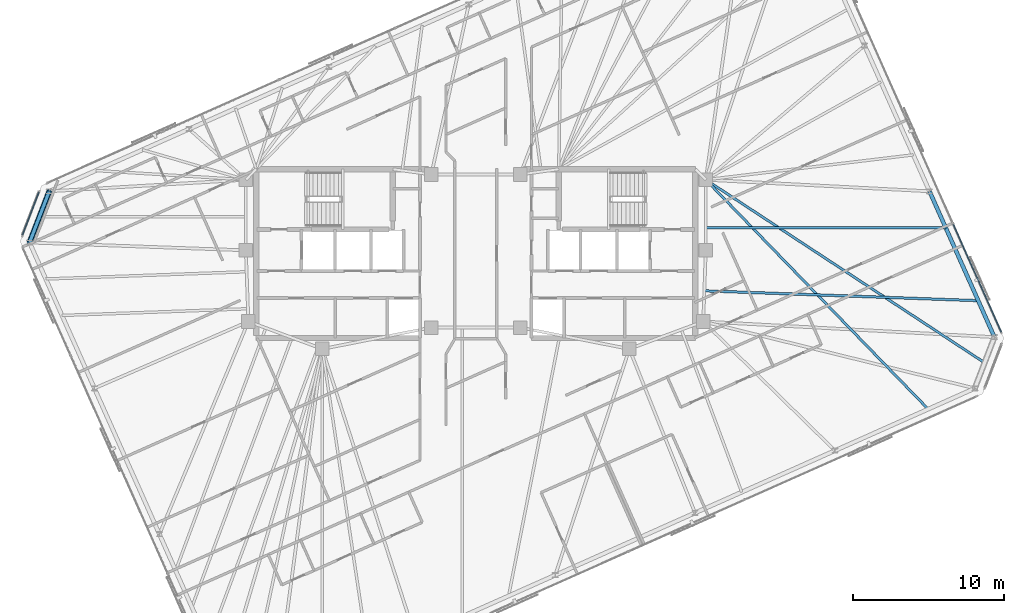
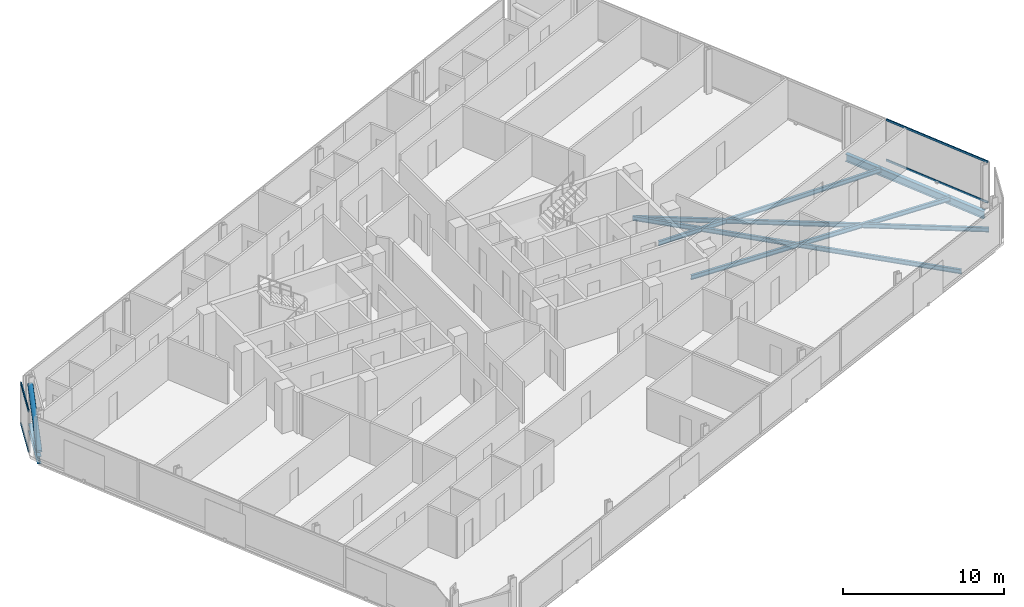
# One storey, part 8 of 19: 6 beams, 5 members, 2 elements without a shape of their own.
"""IFC4 building model written with IfcOpenShell, lengths in metres."""

from ifc_helpers import new_model, si_unit, direction, frame, origin, origin_2d, place, context, subcontext, project, spatial, rectangle, hollow_circle, i_section, extrude, material, material_profile, profile_set, type_object, element, aggregate, save


model = new_model("IFC4")

# Units and contexts
model_context = context("Model", 3, precision=1e-05, world=origin(), true_north=direction((0.0, 1.0)))
body_context = subcontext(model_context, "Body", "Model", "MODEL_VIEW")
ifc_project = project(units=[si_unit("LENGTHUNIT", "METRE"), si_unit("AREAUNIT", "SQUARE_METRE"), si_unit("VOLUMEUNIT", "CUBIC_METRE"), si_unit("PLANEANGLEUNIT", "RADIAN"), si_unit("MASSUNIT", "GRAM", prefix="KILO")], contexts=[model_context])

# Site, building, storey
site_placement = place(None, origin())
site = spatial("IfcSite", under=ifc_project, at=site_placement, CompositionType="ELEMENT")
building_placement = place(site_placement, origin())
building = spatial("IfcBuilding", under=site, at=building_placement, Name="Menara Jurai Vektor", CompositionType="ELEMENT")
storey_placement = place(building_placement, frame((0.0, 0.0, 291.949951171875)))
storey = spatial("IfcBuildingStorey", under=building, at=storey_placement, Name="L78", CompositionType="ELEMENT", Elevation=291.949951171875)

# Curtain wall, members
ifc_material_1 = material(Name="Anodised Pale Aluminium & Low-E Double Glazing", Category="aluminium")
curtain_wall_type = type_object("IfcCurtainWallType", Name="CW-BLK5", PredefinedType="NOTDEFINED", material=ifc_material_1)
curtain_wall_1_placement = place(storey_placement, origin())
curtain_wall_1 = element("IfcCurtainWall", 1, at=curtain_wall_1_placement, inside=storey, type_object=curtain_wall_type, Name="Unitised Curtain Wall L78 F03", PredefinedType="NOTDEFINED")
ifc_material_2 = material(Name="Anodised Pale Aluminium Transom", Category="aluminium")
ifc_material_profile_1 = material_profile(ifc_material_2, rectangle(XDim=0.074951171875, YDim=0.155029296875, at=origin_2d()), Name="ALU TRN 75x155")
ifc_profile_set_1 = profile_set([ifc_material_profile_1], Name="Anodised Pale Aluminium Transom")
member_type_1 = type_object("IfcMemberType", Name="CW-BLK5-TRN", PredefinedType="USERDEFINED", material=ifc_profile_set_1)
member_1_placement = place(storey_placement, frame((34.840087890625, -5.19189453125, 0.03759765625), z_axis=(-0.406739711224, 0.913544091609, 0.0), x_axis=(-0.913544091609, -0.406739711224, 0.0)))
member_1 = element("IfcMember", 2, at=member_1_placement, type_object=member_type_1, Name="CW-05 transom 1.1", ObjectType="TRANSOM", PredefinedType="USERDEFINED", context=body_context, shape_type="SweptSolid", body=[
    extrude(rectangle(XDim=0.074951171875, YDim=0.155029296875, at=origin_2d()), origin(), (0.0, 0.0, 1.0), 7.797607421875),
])
member_2_placement = place(storey_placement, frame((34.840087890625, -5.19189453125, 3.087646484375), z_axis=(-0.406739711224, 0.913544091609, 0.0), x_axis=(-0.913544091609, -0.406739711224, 0.0)))
member_2 = element("IfcMember", 3, at=member_2_placement, type_object=member_type_1, Name="CW-05 transom 1.2", ObjectType="TRANSOM", PredefinedType="USERDEFINED", context=body_context, shape_type="SweptSolid", body=[
    extrude(rectangle(XDim=0.074951171875, YDim=0.155029296875, at=origin_2d()), origin(), (0.0, 0.0, 1.0), 7.797607421875),
])
aggregate(curtain_wall_1, [member_1, member_2])

curtain_wall_2_placement = place(storey_placement, origin())
curtain_wall_2 = element("IfcCurtainWall", 4, at=curtain_wall_2_placement, inside=storey, type_object=curtain_wall_type, Name="Unitised Curtain Wall L78 F06", PredefinedType="NOTDEFINED")
member_3_placement = place(storey_placement, frame((-28.96923828125, 4.079345703125, 0.03759765625), z_axis=(-0.358324523823, -0.933597094911, 0.0), x_axis=(0.933597094911, -0.358324523823, 0.0)))
member_3 = element("IfcMember", 5, at=member_3_placement, type_object=member_type_1, Name="CW-05 transom 1.1", ObjectType="TRANSOM", PredefinedType="USERDEFINED", context=body_context, shape_type="SweptSolid", body=[
    extrude(rectangle(XDim=0.074951171875, YDim=0.155029296875, at=origin_2d()), origin(), (0.0, 0.0, 1.0), 3.049560546875),
])
member_4_placement = place(storey_placement, frame((-28.96923828125, 4.079345703125, 3.087646484375), z_axis=(-0.358324523823, -0.933597094911, 0.0), x_axis=(0.933597094911, -0.358324523823, 0.0)))
member_4 = element("IfcMember", 6, at=member_4_placement, type_object=member_type_1, Name="CW-05 transom 1.2", ObjectType="TRANSOM", PredefinedType="USERDEFINED", context=body_context, shape_type="SweptSolid", body=[
    extrude(rectangle(XDim=0.074951171875, YDim=0.155029296875, at=origin_2d()), origin(), (0.0, 0.0, 1.0), 3.049560546875),
])
aggregate(curtain_wall_2, [member_3, member_4])

# Member
ifc_material_3 = material(Name="Steel S460", Category="steel")
ifc_material_profile_2 = material_profile(ifc_material_3, hollow_circle(Radius=0.177734375, WallThickness=0.01611328125, at=origin_2d()), Name="CHS 355.6x16")
ifc_profile_set_2 = profile_set([ifc_material_profile_2], Name="Steel S460")
member_type_2 = type_object("IfcMemberType", Name="STR-BR-356", PredefinedType="BRACE", material=ifc_profile_set_2)
member_5_placement = place(storey_placement, frame((-29.591796875, 0.73681640625, 0.150146484375), z_axis=(0.2906257681, 0.757042028889, 0.585170085882), x_axis=(-0.933570293083, 0.358394346877, 0.0)))
element("IfcMember", 7, at=member_5_placement, inside=storey, type_object=member_type_2, Name="Exoskeleton Corner Brace L78-3", PredefinedType="BRACE", context=body_context, shape_type="SweptSolid", body=[
    extrude(hollow_circle(Radius=0.177734375, WallThickness=0.01611328125, at=origin_2d()), origin(), (0.0, 0.0, 1.0), 4.48583984375),
])

# Beams
ifc_material_4 = material(Name="Steel S355", Category="steel")
ifc_material_profile_3 = material_profile(ifc_material_4, i_section(OverallWidth=0.1650390625, OverallDepth=0.330078125, WebThickness=0.009033203125, FlangeThickness=0.013916015625, at=origin_2d()), Name="PG 330x165x46")
ifc_profile_set_3 = profile_set([ifc_material_profile_3], Name="Steel S355")
beam_type_1 = type_object("IfcBeamType", Name="STR-JS-330", PredefinedType="JOIST", material=ifc_profile_set_3)
beam_1_placement = place(storey_placement, frame((29.996826171875, -10.30908203125, -0.389892578125), z_axis=(-0.696114697983, 0.717930586653, 0.0), x_axis=(-0.717930586653, -0.696114697983, 0.0)))
element("IfcBeam", 8, at=beam_1_placement, inside=storey, type_object=beam_type_1, Name="Radial Secondary Floor Joist L78-JS06", PredefinedType="JOIST", context=body_context, shape_type="SweptSolid", body=[
    extrude(i_section(OverallWidth=0.1650390625, OverallDepth=0.330078125, WebThickness=0.009033203125, FlangeThickness=0.013916015625, at=origin_2d()), origin(), (0.0, 0.0, 1.0), 21.1845703125),
])
beam_2_placement = place(storey_placement, frame((33.739990234375, -7.23486328125, -0.389892578125), z_axis=(-0.836033194478, 0.54867886576, 0.0), x_axis=(-0.54867886576, -0.836033194478, 0.0)))
element("IfcBeam", 9, at=beam_2_placement, inside=storey, type_object=beam_type_1, Name="Radial Secondary Floor Joist L78-JS07", PredefinedType="JOIST", context=body_context, shape_type="SweptSolid", body=[
    extrude(i_section(OverallWidth=0.1650390625, OverallDepth=0.330078125, WebThickness=0.009033203125, FlangeThickness=0.013916015625, at=origin_2d()), origin(), (0.0, 0.0, 1.0), 22.116455078125),
])
beam_3_placement = place(storey_placement, frame((33.315185546875, -3.119384765625, -0.389892578125), z_axis=(-0.999351699571, 0.036002507761, 0.0), x_axis=(-0.036002507761, -0.999351699571, 0.0)))
element("IfcBeam", 10, at=beam_3_placement, inside=storey, type_object=beam_type_1, Name="Radial Secondary Floor Joist L78-JS08", PredefinedType="JOIST", context=body_context, shape_type="SweptSolid", body=[
    extrude(i_section(OverallWidth=0.1650390625, OverallDepth=0.330078125, WebThickness=0.009033203125, FlangeThickness=0.013916015625, at=origin_2d()), origin(), (0.0, 0.0, 1.0), 18.173583984375),
])
beam_4_placement = place(storey_placement, frame((31.16259765625, 1.7158203125, -0.389892578125), z_axis=(-1.0, 0.0, 0.0), x_axis=(0.0, -1.0, 0.0)))
element("IfcBeam", 11, at=beam_4_placement, inside=storey, type_object=beam_type_1, Name="Radial Secondary Floor Joist L78-JS09", PredefinedType="JOIST", context=body_context, shape_type="SweptSolid", body=[
    extrude(i_section(OverallWidth=0.1650390625, OverallDepth=0.330078125, WebThickness=0.009033203125, FlangeThickness=0.013916015625, at=origin_2d()), origin(), (0.0, 0.0, 1.0), 15.91259765625),
])
ifc_material_profile_4 = material_profile(ifc_material_4, i_section(OverallWidth=0.260009765625, OverallDepth=0.570068359375, WebThickness=0.013916015625, FlangeThickness=0.02392578125, at=origin_2d()), Name="PG 570x260x145")
ifc_profile_set_4 = profile_set([ifc_material_profile_4], Name="Steel S355")
beam_type_2 = type_object("IfcBeamType", Name="STR-SP-570", PredefinedType="SPANDREL", material=ifc_profile_set_4)
beam_5_placement = place(storey_placement, frame((34.3916015625, -5.536865234375, -0.510009765625), z_axis=(-0.40673543049, 0.91354599752, 0.0), x_axis=(-0.91354599752, -0.40673543049, 0.0)))
element("IfcBeam", 12, at=beam_5_placement, inside=storey, type_object=beam_type_2, Name="Exoskeleton Spandrel Beam L78-07", PredefinedType="SPANDREL", context=body_context, shape_type="SweptSolid", body=[
    extrude(i_section(OverallWidth=0.260009765625, OverallDepth=0.570068359375, WebThickness=0.013916015625, FlangeThickness=0.02392578125, at=origin_2d()), origin(), (0.0, 0.0, 1.0), 10.585205078125),
])
beam_6_placement = place(storey_placement, frame((-28.2880859375, 4.1328125, -0.510009765625), z_axis=(-0.358394346877, -0.933570293083, 0.0), x_axis=(0.933570293083, -0.358394346877, 0.0)))
element("IfcBeam", 13, at=beam_6_placement, inside=storey, type_object=beam_type_2, Name="Exoskeleton Spandrel Beam L78-16", PredefinedType="SPANDREL", context=body_context, shape_type="SweptSolid", body=[
    extrude(i_section(OverallWidth=0.260009765625, OverallDepth=0.570068359375, WebThickness=0.013916015625, FlangeThickness=0.02392578125, at=origin_2d()), origin(), (0.0, 0.0, 1.0), 3.6376953125),
])

save(model, "model.ifc")
